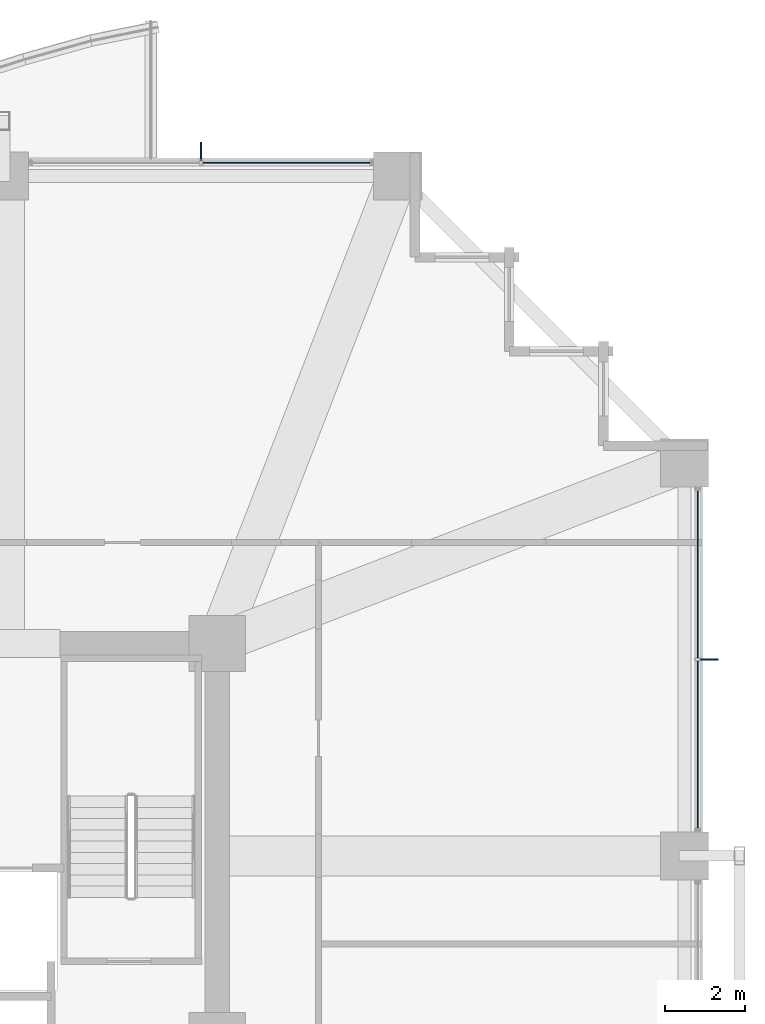
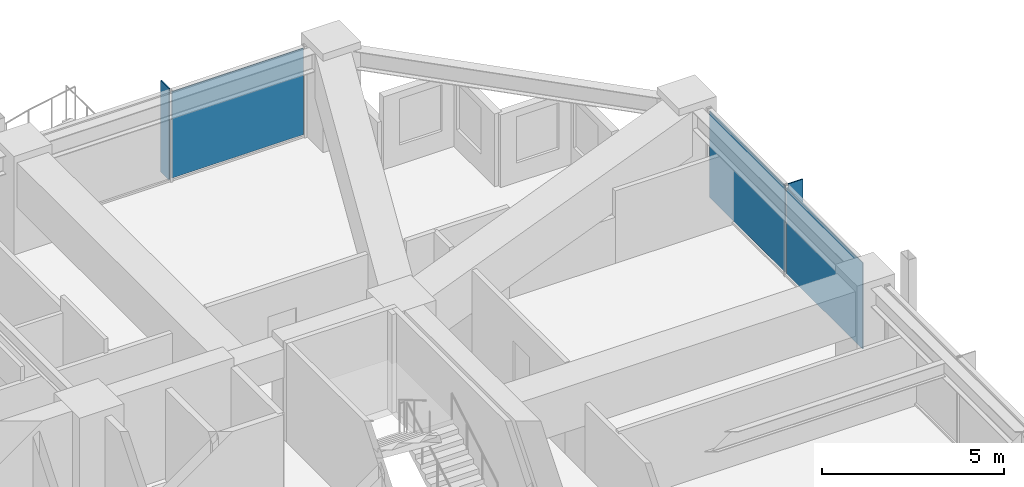
# One storey, part 30 of 37: 5 plates, 2 elements without a shape of their own.
"""IFC4 building model written with IfcOpenShell, lengths in metres."""

from ifc_helpers import new_model, si_unit, direction, frame, origin, origin_2d, place, context, subcontext, project, spatial, rectangle, extrude, material, layer, layer_set, type_object, element, aggregate, save


model = new_model("IFC4")

# Units and contexts
model_context = context("Model", 3, precision=1e-05, world=origin(), true_north=direction((0.0, 1.0)))
body_context = subcontext(model_context, "Body", "Model", "MODEL_VIEW")
ifc_project = project(units=[si_unit("LENGTHUNIT", "METRE"), si_unit("AREAUNIT", "SQUARE_METRE"), si_unit("VOLUMEUNIT", "CUBIC_METRE"), si_unit("PLANEANGLEUNIT", "RADIAN"), si_unit("MASSUNIT", "GRAM", prefix="KILO")], contexts=[model_context])

# Site, building, storey
site_placement = place(None, origin())
site = spatial("IfcSite", under=ifc_project, at=site_placement, CompositionType="ELEMENT")
building_placement = place(site_placement, origin())
building = spatial("IfcBuilding", under=site, at=building_placement, Name="Kolvaren Belvedere", CompositionType="ELEMENT")
storey_placement = place(building_placement, frame((0.0, 0.0, 43.60009765625)))
storey = spatial("IfcBuildingStorey", under=building, at=storey_placement, Name="L12", CompositionType="ELEMENT", Elevation=43.60009765625)

# Curtain wall, plates
ifc_material_1 = material(Name="Anodised pale-metal aluminium AA 6063-T6", Category="aluminium")
curtain_wall_type = type_object("IfcCurtainWallType", Name="CW-Z1-LOW", PredefinedType="NOTDEFINED", material=ifc_material_1)
curtain_wall_1_placement = place(storey_placement, origin())
curtain_wall_1 = element("IfcCurtainWall", 1, at=curtain_wall_1_placement, inside=storey, type_object=curtain_wall_type, Name="L12 Unitised Curtain Wall FCW-L12-E-B1", PredefinedType="NOTDEFINED")
ifc_material_2 = material(Name="Low-iron triple insulated glass", Category="glass")
ifc_layer_1 = layer(ifc_material_2, 0.028076171875)
ifc_layer_set_1 = layer_set([ifc_layer_1], Name="Low-iron triple insulated glass")
plate_type_1 = type_object("IfcPlateType", Name="CW-PNL-VIS28", PredefinedType="CURTAIN_PANEL", material=ifc_layer_set_1)
plate_1_placement = place(storey_placement, frame((21.8798828125, 11.62255859375, 0.079833984375), z_axis=(0.0, 0.0, 1.0), x_axis=(0.0, -1.0, 0.0)))
plate_1 = element("IfcPlate", 2, at=plate_1_placement, type_object=plate_type_1, Name="FCW-L12-E-B1 Vision Glazing Panel 1", PredefinedType="CURTAIN_PANEL", context=body_context, shape_type="SweptSolid", body=[
    extrude(rectangle(XDim=4.1650390625, YDim=0.028076171875, at=origin_2d()), origin(), (0.0, 0.0, 1.0), 2.89990234375),
])
plate_2_placement = place(storey_placement, frame((21.8798828125, 7.37744140625, 0.079833984375), z_axis=(0.0, 0.0, 1.0), x_axis=(0.0, -1.0, 0.0)))
plate_2 = element("IfcPlate", 3, at=plate_2_placement, type_object=plate_type_1, Name="FCW-L12-E-B1 Vision Glazing Panel 2", PredefinedType="CURTAIN_PANEL", context=body_context, shape_type="SweptSolid", body=[
    extrude(rectangle(XDim=4.1650390625, YDim=0.028076171875, at=origin_2d()), origin(), (0.0, 0.0, 1.0), 2.89990234375),
])
aggregate(curtain_wall_1, [plate_1, plate_2])

# Curtain wall, plate
curtain_wall_2_placement = place(storey_placement, origin())
curtain_wall_2 = element("IfcCurtainWall", 4, at=curtain_wall_2_placement, inside=storey, type_object=curtain_wall_type, Name="L12 Unitised Curtain Wall FCW-L12-N2-B2", PredefinedType="NOTDEFINED")
plate_3_placement = place(storey_placement, frame((11.62255859375, 21.8798828125, 0.079833984375), z_axis=(0.0, 0.0, 1.0), x_axis=(1.0, 0.0, 0.0)))
plate_3 = element("IfcPlate", 5, at=plate_3_placement, type_object=plate_type_1, Name="FCW-L12-N2-B2 Vision Glazing Panel 2", PredefinedType="CURTAIN_PANEL", context=body_context, shape_type="SweptSolid", body=[
    extrude(rectangle(XDim=4.1650390625, YDim=0.028076171875, at=origin_2d()), origin(), (0.0, 0.0, 1.0), 2.89990234375),
])
aggregate(curtain_wall_2, [plate_3])

# Plates
ifc_material_3 = material(Name="Anodised pale-metal aluminium AA 6063-T6", Category="aluminium")
ifc_layer_2 = layer(ifc_material_3, 0.0380859375)
ifc_layer_set_2 = layer_set([ifc_layer_2], Name="Anodised pale-metal aluminium AA 6063-T6")
plate_type_2 = type_object("IfcPlateType", Name="FIN-VERT-450", PredefinedType="USERDEFINED", material=ifc_layer_set_2)
for number, where, z_axis, x_axis, name in (
    (6, (22.1650390625, 9.5, -0.000244140625), (0.0, 0.0, 1.0), (1.0, 0.0, 0.0), "L12 Pale-Metal Vertical Shading Fin FCW-L12-E-B1-1"),
    (7, (9.5, 22.1650390625, -0.000244140625), (0.0, 0.0, 1.0), (0.0, 1.0, 0.0), "L12 Pale-Metal Vertical Shading Fin FCW-L12-N2-B2-1"),
):
    element("IfcPlate", number, at=place(storey_placement, frame(where, z_axis=z_axis, x_axis=x_axis)), inside=storey, type_object=plate_type_2, Name=name, ObjectType="VERTICAL FIN", PredefinedType="USERDEFINED", context=body_context, shape_type="SweptSolid", body=[
        extrude(rectangle(XDim=0.449951171875, YDim=0.0380859375, at=origin_2d()), origin(), (0.0, 0.0, 1.0), 3.06005859375),
    ])

save(model, "model.ifc")
